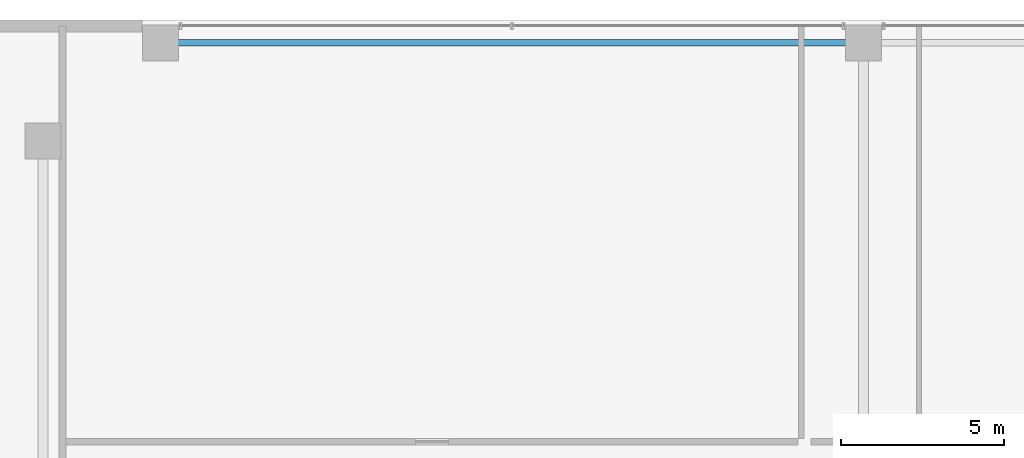
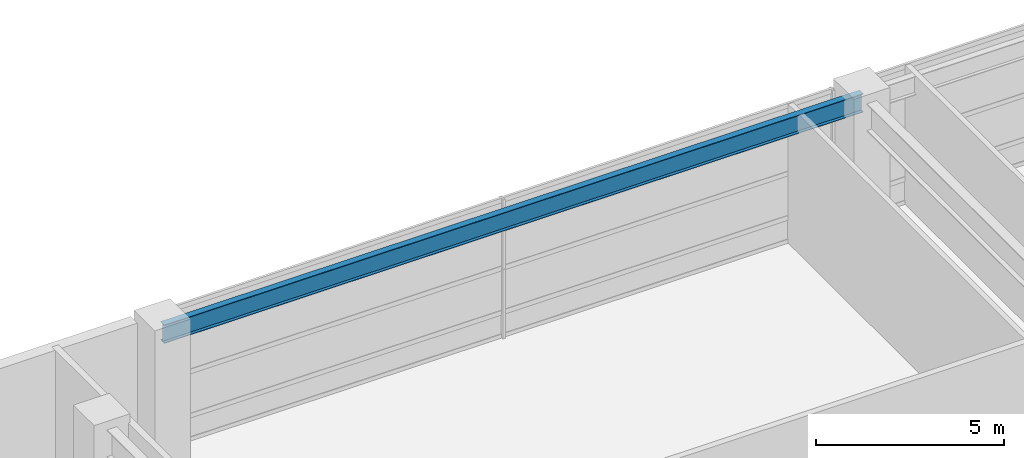
# One storey, part 20 of 38: 1 beam.
"""IFC4 building model written with IfcOpenShell, lengths in metres."""

from ifc_helpers import new_model, si_unit, direction, frame, origin, origin_2d, place, context, subcontext, project, spatial, i_section, extrude, source, transform, mapped, material, material_profile, profile_set, type_object, element, save


model = new_model("IFC4")

# Units and contexts
model_context = context("Model", 3, precision=1e-05, world=origin(), true_north=direction((0.0, 1.0)))
body_context = subcontext(model_context, "Body", "Model", "MODEL_VIEW")
ifc_project = project(units=[si_unit("LENGTHUNIT", "METRE"), si_unit("AREAUNIT", "SQUARE_METRE"), si_unit("VOLUMEUNIT", "CUBIC_METRE"), si_unit("PLANEANGLEUNIT", "RADIAN"), si_unit("MASSUNIT", "GRAM", prefix="KILO"), si_unit("THERMODYNAMICTEMPERATUREUNIT", "KELVIN"), si_unit("POWERUNIT", "WATT")], contexts=[model_context])

# Site, building, storey
site_placement = place(None, origin())
site = spatial("IfcSite", under=ifc_project, at=site_placement, CompositionType="ELEMENT")
building_placement = place(site_placement, origin())
building = spatial("IfcBuilding", under=site, at=building_placement, Name="Yuzanri Waterfront Tower", CompositionType="ELEMENT")
storey_placement = place(building_placement, frame((0.0, 0.0, 10.199951171875)))
storey = spatial("IfcBuildingStorey", under=building, at=storey_placement, Name="L03", CompositionType="ELEMENT", Elevation=10.199951171875)

# Beam
ifc_material = material(Name="Steel Q355B", Category="steel")
ifc_material_profile = material_profile(ifc_material, i_section(OverallWidth=0.199951171875, OverallDepth=0.60009765625, WebThickness=0.010986328125, FlangeThickness=0.01708984375, at=origin_2d()), Name="HN 600x200x11x17")
ifc_profile_set = profile_set([ifc_material_profile], Name="Steel Q355B")
beam_type = type_object("IfcBeamType", Name="Perimeter Spandrel Q355B HN 600x200", PredefinedType="SPANDREL", material=ifc_profile_set)
shared_shape = source(origin(), body_context, "Body", "SweptSolid", [
    extrude(i_section(OverallWidth=0.199951171875, OverallDepth=0.60009765625, WebThickness=0.010986328125, FlangeThickness=0.01708984375, at=origin_2d()), origin(), (0.0, 0.0, 1.0), 21.5),
])
beam_placement = place(storey_placement, frame((15.5, 49.10009765625, 4.219970703125), z_axis=(1.0, 0.0, 0.0), x_axis=(0.0, 1.0, 0.0)))
element("IfcBeam", 1, at=beam_placement, inside=storey, type_object=beam_type, Name="L03 North Spandrel 1", PredefinedType="SPANDREL", context=body_context, shape_type="MappedRepresentation", body=[
    mapped(shared_shape, transform((0.0, 0.0, 0.0), scale=1.0)),
])

save(model, "model.ifc")
